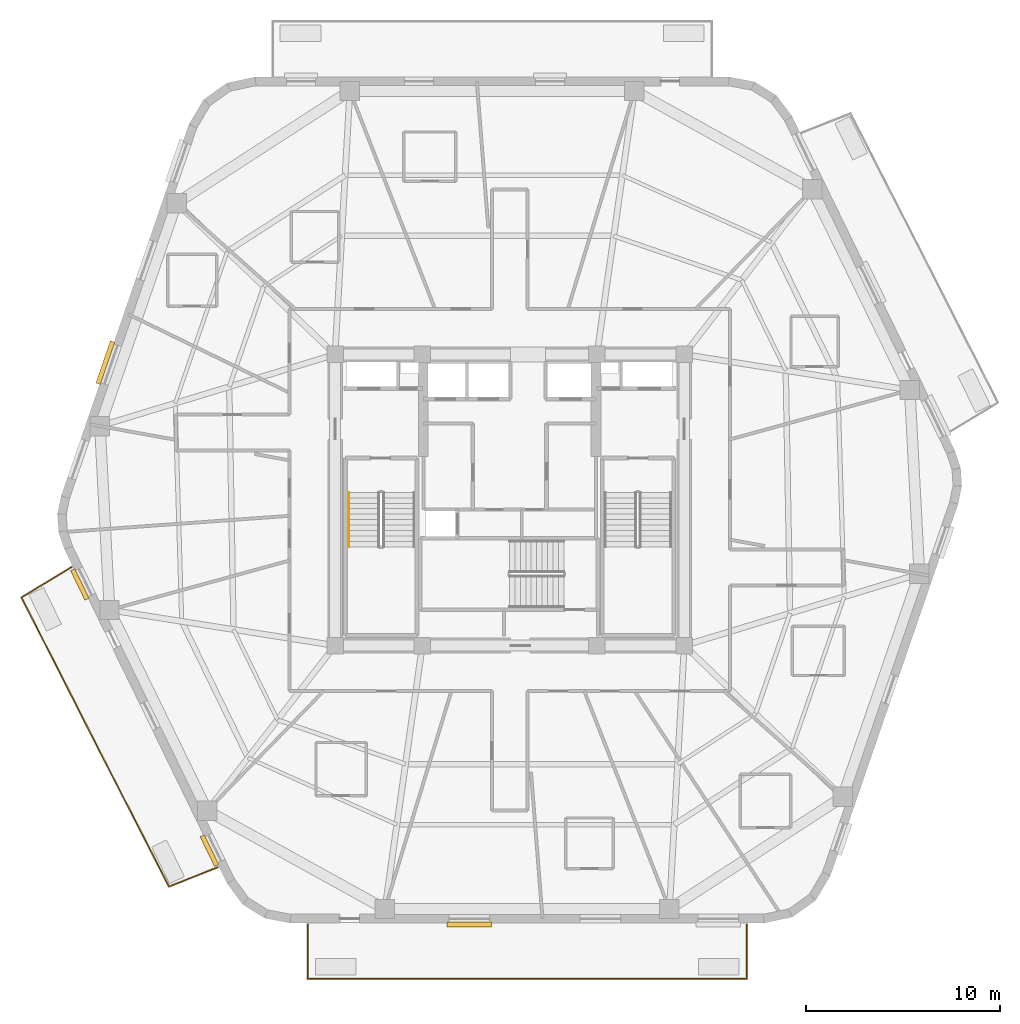
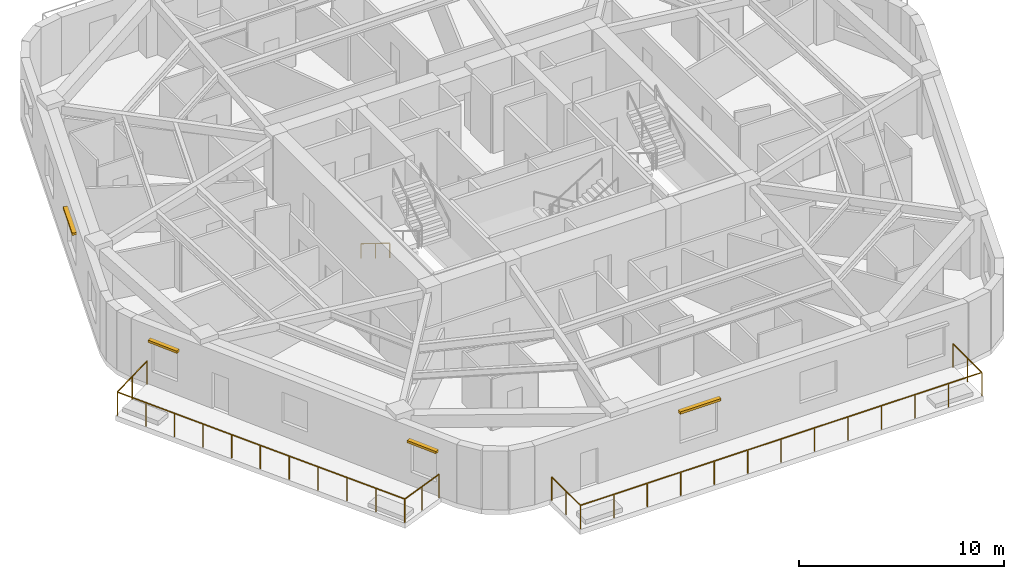
# One storey, part 8 of 10: 4 shading devices, 3 railings.
"""IFC4 building model written with IfcOpenShell, lengths in metres."""

from ifc_helpers import new_model, si_unit, direction, frame, origin, origin_2d, place, context, subcontext, project, spatial, rectangle, extrude, material, layer, layer_set, type_object, element, save


model = new_model("IFC4")

# Units and contexts
model_context = context("Model", 3, precision=1e-05, world=origin(), true_north=direction((0.0, 1.0)))
body_context = subcontext(model_context, "Body", "Model", "MODEL_VIEW")
ifc_project = project(units=[si_unit("LENGTHUNIT", "METRE"), si_unit("AREAUNIT", "SQUARE_METRE"), si_unit("VOLUMEUNIT", "CUBIC_METRE"), si_unit("PLANEANGLEUNIT", "RADIAN"), si_unit("MASSUNIT", "GRAM", prefix="KILO")], contexts=[model_context])

# Site, building, storey
site_placement = place(None, origin())
site = spatial("IfcSite", under=ifc_project, at=site_placement, CompositionType="ELEMENT")
building_placement = place(site_placement, origin())
building = spatial("IfcBuilding", under=site, at=building_placement, Name="Kilnhurst Terrace Hotel", CompositionType="ELEMENT")
storey_placement = place(building_placement, frame((0.0, 0.0, 210.300048828125)))
storey = spatial("IfcBuildingStorey", under=building, at=storey_placement, Name="L52", CompositionType="ELEMENT", Elevation=210.300048828125)

# Railings
ifc_material_1 = material(Name="Laminated SentryGlas and Stainless Steel AISI 316L Balustrade", Category="steel")
ifc_layer_1 = layer(ifc_material_1, 0.070068359375, Name="Laminated SentryGlas and Stainless Steel AISI 316L Balustrade")
ifc_layer_set_1 = layer_set([ifc_layer_1], Name="Laminated SentryGlas and Stainless Steel AISI 316L Balustrade")
railing_type_1 = type_object("IfcRailingType", Name="RLG-BAL-1420", PredefinedType="BALUSTRADE", material=ifc_layer_set_1)
railing_1_placement = place(storey_placement, frame((-15.0546875, -18.933349609375, 0.0)))
element("IfcRailing", 1, at=railing_1_placement, inside=storey, type_object=railing_type_1, Name="L52 Exterior Terrace Guardrail BAL-L2A.1", PredefinedType="BALUSTRADE", context=body_context, shape_type="SweptSolid", body=[
    extrude(rectangle(XDim=0.048095703125, YDim=0.048095703125, at=origin_2d()), frame((0.0, 0.0, 1.39599609375), z_axis=(-0.929913162101, -0.367779160574, 0.0), x_axis=(0.367779160574, -0.929913162101, 0.0)), (0.0, 0.0, 1.0), 2.694580078125),
    extrude(rectangle(XDim=0.048095703125, YDim=0.048095703125, at=origin_2d()), frame((-2.505615234375, -0.990966796875, 1.39599609375), z_axis=(-0.455129479154, 0.890425267614, 0.0), x_axis=(-0.890425267614, -0.455129479154, 0.0)), (0.0, 0.0, 1.0), 8.4072265625),
    extrude(rectangle(XDim=0.048095703125, YDim=0.048095703125, at=origin_2d()), frame((-6.33203125, 6.4951171875, 1.39599609375), z_axis=(-0.45338853952, 0.891312982196, 0.0), x_axis=(-0.891312982196, -0.45338853952, 0.0)), (0.0, 0.0, 1.0), 8.320068359375),
    extrude(rectangle(XDim=0.048095703125, YDim=0.048095703125, at=origin_2d()), frame((-10.104248046875, 13.910888671875, 1.39599609375), z_axis=(0.854990626614, 0.518643450168, 0.0), x_axis=(-0.518643450168, 0.854990626614, 0.0)), (0.0, 0.0, 1.0), 3.008056640625),
    extrude(rectangle(XDim=0.0419921875, YDim=0.0419921875, at=origin_2d()), origin(), (0.0, 0.0, 1.0), 1.371826171875),
    extrude(rectangle(XDim=0.0419921875, YDim=0.0419921875, at=origin_2d()), frame((-1.2529296875, -0.49560546875, 0.0)), (0.0, 0.0, 1.0), 1.371826171875),
    extrude(rectangle(XDim=0.0419921875, YDim=0.0419921875, at=origin_2d()), frame((-2.505615234375, -0.990966796875, 0.0)), (0.0, 0.0, 1.0), 1.371826171875),
    extrude(rectangle(XDim=0.0419921875, YDim=0.0419921875, at=origin_2d()), frame((-3.27099609375, 0.50634765625, 0.0)), (0.0, 0.0, 1.0), 1.371826171875),
    extrude(rectangle(XDim=0.0419921875, YDim=0.0419921875, at=origin_2d()), frame((-4.0361328125, 2.00341796875, 0.0)), (0.0, 0.0, 1.0), 1.371826171875),
    extrude(rectangle(XDim=0.0419921875, YDim=0.0419921875, at=origin_2d()), frame((-4.801513671875, 3.500732421875, 0.0)), (0.0, 0.0, 1.0), 1.371826171875),
    extrude(rectangle(XDim=0.0419921875, YDim=0.0419921875, at=origin_2d()), frame((-5.566650390625, 4.997802734375, 0.0)), (0.0, 0.0, 1.0), 1.371826171875),
    extrude(rectangle(XDim=0.0419921875, YDim=0.0419921875, at=origin_2d()), frame((-6.33203125, 6.4951171875, 0.0)), (0.0, 0.0, 1.0), 1.371826171875),
    extrude(rectangle(XDim=0.0419921875, YDim=0.0419921875, at=origin_2d()), frame((-7.08642578125, 7.978271484375, 0.0)), (0.0, 0.0, 1.0), 1.371826171875),
    extrude(rectangle(XDim=0.0419921875, YDim=0.0419921875, at=origin_2d()), frame((-7.8408203125, 9.46142578125, 0.0)), (0.0, 0.0, 1.0), 1.371826171875),
    extrude(rectangle(XDim=0.0419921875, YDim=0.0419921875, at=origin_2d()), frame((-8.595458984375, 10.944580078125, 0.0)), (0.0, 0.0, 1.0), 1.371826171875),
    extrude(rectangle(XDim=0.0419921875, YDim=0.0419921875, at=origin_2d()), frame((-9.349853515625, 12.427734375, 0.0)), (0.0, 0.0, 1.0), 1.371826171875),
    extrude(rectangle(XDim=0.0419921875, YDim=0.0419921875, at=origin_2d()), frame((-10.104248046875, 13.910888671875, 0.0)), (0.0, 0.0, 1.0), 1.371826171875),
    extrude(rectangle(XDim=0.0419921875, YDim=0.0419921875, at=origin_2d()), frame((-8.818359375, 14.69091796875, 0.0)), (0.0, 0.0, 1.0), 1.371826171875),
    extrude(rectangle(XDim=0.0419921875, YDim=0.0419921875, at=origin_2d()), frame((-7.532470703125, 15.470947265625, 0.0)), (0.0, 0.0, 1.0), 1.371826171875),
])
railing_2_placement = place(storey_placement, frame((12.21484375, -21.8798828125, 0.0)))
element("IfcRailing", 2, at=railing_2_placement, inside=storey, type_object=railing_type_1, Name="L52 Exterior Terrace Guardrail BAL-L2B.1", PredefinedType="BALUSTRADE", context=body_context, shape_type="SweptSolid", body=[
    extrude(rectangle(XDim=0.048095703125, YDim=0.048095703125, at=origin_2d()), frame((0.0, 0.0, 1.39599609375), z_axis=(0.0, -1.0, 0.0), x_axis=(1.0, 0.0, 0.0)), (0.0, 0.0, 1.0), 2.800048828125),
    extrude(rectangle(XDim=0.048095703125, YDim=0.048095703125, at=origin_2d()), frame((0.0, -2.800048828125, 1.39599609375), z_axis=(-1.0, 0.0, 0.0), x_axis=(0.0, -1.0, 0.0)), (0.0, 0.0, 1.0), 22.62353515625),
    extrude(rectangle(XDim=0.048095703125, YDim=0.048095703125, at=origin_2d()), frame((-22.62353515625, -2.800048828125, 1.39599609375), z_axis=(0.0, 1.0, 0.0), x_axis=(-1.0, 0.0, 0.0)), (0.0, 0.0, 1.0), 2.800048828125),
    extrude(rectangle(XDim=0.0419921875, YDim=0.0419921875, at=origin_2d()), origin(), (0.0, 0.0, 1.0), 1.371826171875),
    extrude(rectangle(XDim=0.0419921875, YDim=0.0419921875, at=origin_2d()), frame((0.0, -1.39990234375, 0.0)), (0.0, 0.0, 1.0), 1.371826171875),
    extrude(rectangle(XDim=0.0419921875, YDim=0.0419921875, at=origin_2d()), frame((0.0, -2.800048828125, 0.0)), (0.0, 0.0, 1.0), 1.371826171875),
    extrude(rectangle(XDim=0.0419921875, YDim=0.0419921875, at=origin_2d()), frame((-1.88525390625, -2.800048828125, 0.0)), (0.0, 0.0, 1.0), 1.371826171875),
    extrude(rectangle(XDim=0.0419921875, YDim=0.0419921875, at=origin_2d()), frame((-3.7705078125, -2.800048828125, 0.0)), (0.0, 0.0, 1.0), 1.371826171875),
    extrude(rectangle(XDim=0.0419921875, YDim=0.0419921875, at=origin_2d()), frame((-5.65576171875, -2.800048828125, 0.0)), (0.0, 0.0, 1.0), 1.371826171875),
    extrude(rectangle(XDim=0.0419921875, YDim=0.0419921875, at=origin_2d()), frame((-7.541259765625, -2.800048828125, 0.0)), (0.0, 0.0, 1.0), 1.371826171875),
    extrude(rectangle(XDim=0.0419921875, YDim=0.0419921875, at=origin_2d()), frame((-9.426513671875, -2.800048828125, 0.0)), (0.0, 0.0, 1.0), 1.371826171875),
    extrude(rectangle(XDim=0.0419921875, YDim=0.0419921875, at=origin_2d()), frame((-11.311767578125, -2.800048828125, 0.0)), (0.0, 0.0, 1.0), 1.371826171875),
    extrude(rectangle(XDim=0.0419921875, YDim=0.0419921875, at=origin_2d()), frame((-13.197021484375, -2.800048828125, 0.0)), (0.0, 0.0, 1.0), 1.371826171875),
    extrude(rectangle(XDim=0.0419921875, YDim=0.0419921875, at=origin_2d()), frame((-15.082275390625, -2.800048828125, 0.0)), (0.0, 0.0, 1.0), 1.371826171875),
    extrude(rectangle(XDim=0.0419921875, YDim=0.0419921875, at=origin_2d()), frame((-16.9677734375, -2.800048828125, 0.0)), (0.0, 0.0, 1.0), 1.371826171875),
    extrude(rectangle(XDim=0.0419921875, YDim=0.0419921875, at=origin_2d()), frame((-18.85302734375, -2.800048828125, 0.0)), (0.0, 0.0, 1.0), 1.371826171875),
    extrude(rectangle(XDim=0.0419921875, YDim=0.0419921875, at=origin_2d()), frame((-20.73828125, -2.800048828125, 0.0)), (0.0, 0.0, 1.0), 1.371826171875),
    extrude(rectangle(XDim=0.0419921875, YDim=0.0419921875, at=origin_2d()), frame((-22.62353515625, -2.800048828125, 0.0)), (0.0, 0.0, 1.0), 1.371826171875),
    extrude(rectangle(XDim=0.0419921875, YDim=0.0419921875, at=origin_2d()), frame((-22.62353515625, -1.39990234375, 0.0)), (0.0, 0.0, 1.0), 1.371826171875),
    extrude(rectangle(XDim=0.0419921875, YDim=0.0419921875, at=origin_2d()), frame((-22.62353515625, 0.0, 0.0)), (0.0, 0.0, 1.0), 1.371826171875),
])
ifc_material_2 = material(Name="Brushed Stainless Steel AISI 304", Category="steel")
ifc_layer_2 = layer(ifc_material_2, 0.048095703125, Name="Brushed Stainless Steel AISI 304")
ifc_layer_set_2 = layer_set([ifc_layer_2], Name="Brushed Stainless Steel AISI 304")
railing_type_2 = type_object("IfcRailingType", Name="RLG-ST-HRL-900", PredefinedType="HANDRAIL", material=ifc_layer_set_2)
railing_3_placement = place(storey_placement, frame((-8.300048828125, 0.389892578125, 0.172607421875)))
element("IfcRailing", 3, at=railing_3_placement, inside=storey, type_object=railing_type_2, Name="L52 ST-1 stair handrail 1", PredefinedType="HANDRAIL", context=body_context, shape_type="SweptSolid", body=[
    extrude(rectangle(XDim=0.048095703125, YDim=0.048095703125, at=origin_2d()), frame((0.0, 0.0, 0.8759765625), z_axis=(0.0, -0.851069175582, 0.525053576669), x_axis=(1.0, 0.0, 0.0)), (0.0, 0.0, 1.0), 3.289794921875),
    extrude(rectangle(XDim=0.0419921875, YDim=0.0419921875, at=origin_2d()), origin(), (0.0, 0.0, 1.0), 0.851806640625),
    extrude(rectangle(XDim=0.0419921875, YDim=0.0419921875, at=origin_2d()), frame((0.0, -1.39990234375, 0.86376953125)), (0.0, 0.0, 1.0), 0.851806640625),
    extrude(rectangle(XDim=0.0419921875, YDim=0.0419921875, at=origin_2d()), frame((0.0, -2.7998046875, 1.727294921875)), (0.0, 0.0, 1.0), 0.851806640625),
])

# Shading devices
ifc_material_3 = material(Name="Terracotta Baguette Sunshade on Aluminium Alloy 6063-T6", Category="masonry")
ifc_layer_3 = layer(ifc_material_3, 0.199951171875, Name="Terracotta Baguette Sunshade on Aluminium Alloy 6063-T6")
ifc_layer_set_3 = layer_set([ifc_layer_3], Name="Terracotta Baguette Sunshade on Aluminium Alloy 6063-T6")
shading_device_type = type_object("IfcShadingDeviceType", Name="SHD-SUN-200", PredefinedType="JALOUSIE", material=ifc_layer_set_3)
for number, where, z_axis, x_axis, name in (
    (4, (-2.07861328125, -21.8798828125, 2.68017578125), (0.0, 0.0, 1.0), (1.0, 0.0, 0.0), "L52 Terracotta Window Sunshade F1.1"),
    (5, (-20.83837890625, 7.080322265625, 2.68017578125), (0.0, 0.0, 1.0), (-0.325089542819, -0.94568323933, 0.0), "L52 Terracotta Window Sunshade F5.3"),
):
    element("IfcShadingDevice", number, at=place(storey_placement, frame(where, z_axis=z_axis, x_axis=x_axis)), inside=storey, type_object=shading_device_type, Name=name, PredefinedType="JALOUSIE", context=body_context, shape_type="SweptSolid", body=[
        extrude(rectangle(XDim=2.300048828125, YDim=0.239990234375, at=origin_2d()), origin(), (0.0, 0.0, 1.0), 0.139892578125),
    ])
for number, where, z_axis, x_axis, name in (
    (6, (-22.1533203125, -4.353271484375, 2.6298828125), (0.0, 0.0, 1.0), (0.437743563395, -0.899099868038, 0.0), "L52 Terracotta Window Sunshade F6.1"),
    (7, (-15.474609375, -18.07080078125, 2.6298828125), (0.0, 0.0, 1.0), (0.437743563395, -0.899099868038, 0.0), "L52 Terracotta Window Sunshade F6.3"),
):
    element("IfcShadingDevice", number, at=place(storey_placement, frame(where, z_axis=z_axis, x_axis=x_axis)), inside=storey, type_object=shading_device_type, Name=name, PredefinedType="JALOUSIE", context=body_context, shape_type="SweptSolid", body=[
        extrude(rectangle(XDim=1.699951171875, YDim=0.239990234375, at=origin_2d()), origin(), (0.0, 0.0, 1.0), 0.139892578125),
    ])

save(model, "model.ifc")
